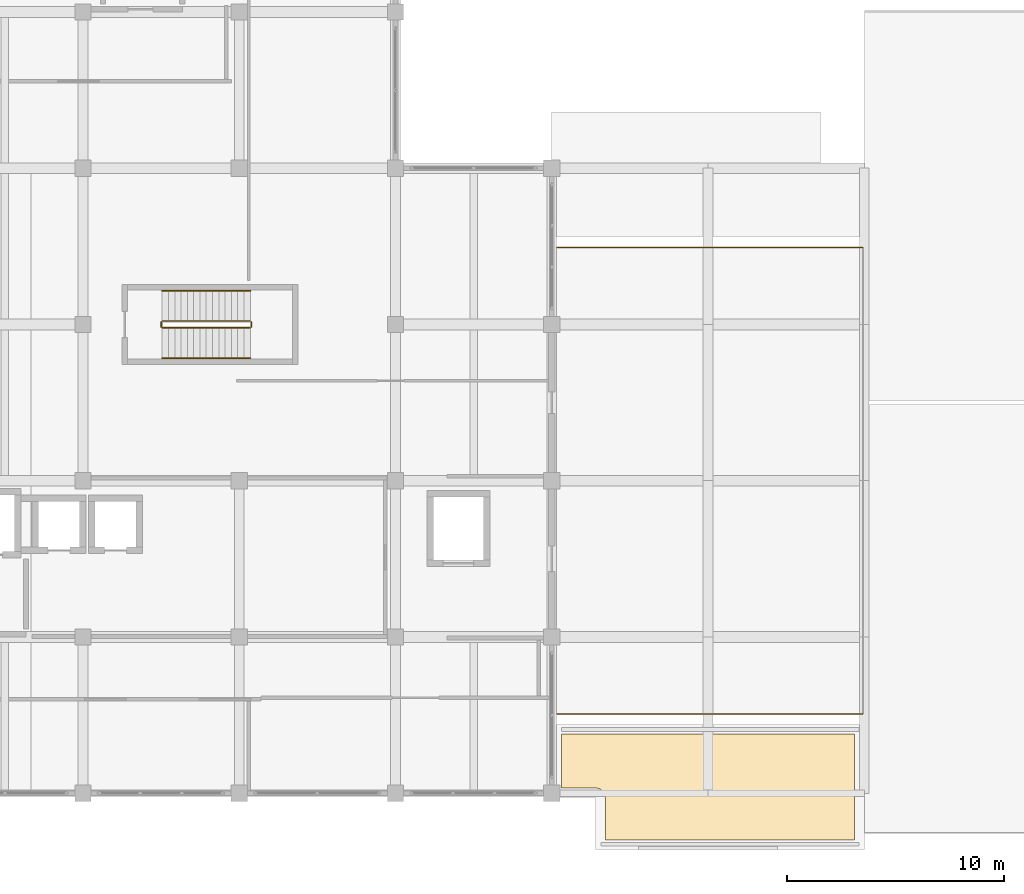
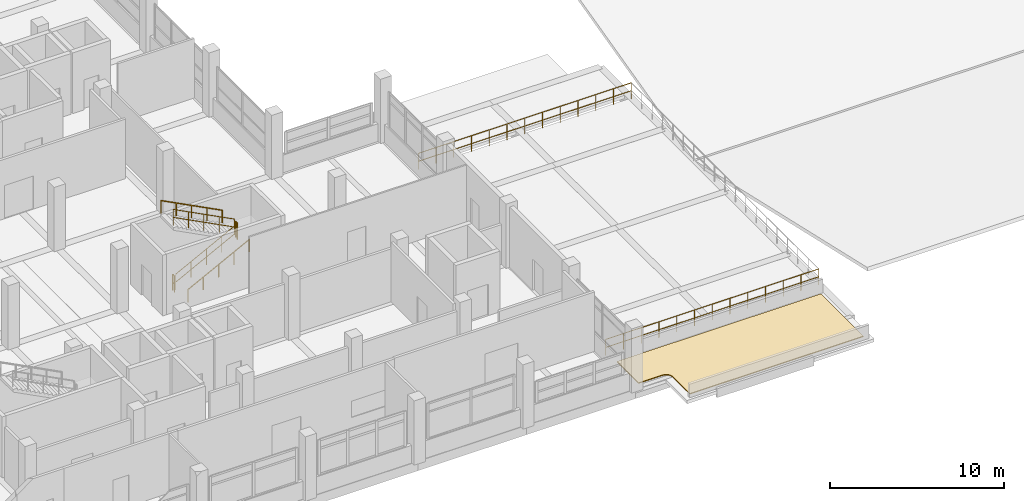
# One storey, part 138 of 141: 8 railings, 1 covering.
"""IFC4 building model written with IfcOpenShell, lengths in metres."""

from ifc_helpers import new_model, si_unit, direction, frame, origin, origin_2d, place, context, subcontext, project, spatial, polyline, circle, outline, extrude, material, layer, layer_set, type_object, element, save


model = new_model("IFC4")

# Units and contexts
model_context = context("Model", 3, precision=1e-05, world=origin(), true_north=direction((0.0, 1.0)))
body_context = subcontext(model_context, "Body", "Model", "MODEL_VIEW")
ifc_project = project(units=[si_unit("LENGTHUNIT", "METRE"), si_unit("AREAUNIT", "SQUARE_METRE"), si_unit("VOLUMEUNIT", "CUBIC_METRE"), si_unit("PLANEANGLEUNIT", "RADIAN"), si_unit("MASSUNIT", "GRAM", prefix="KILO")], contexts=[model_context])

# Site, building, storey
site_placement = place(None, origin())
site = spatial("IfcSite", under=ifc_project, at=site_placement, CompositionType="ELEMENT")
building_placement = place(site_placement, origin())
building = spatial("IfcBuilding", under=site, at=building_placement, Name="Seraya Terrace Polytechnic", CompositionType="ELEMENT")
storey_placement = place(building_placement, frame((0.0, 0.0, 14.39990234375)))
storey = spatial("IfcBuildingStorey", under=building, at=storey_placement, Name="L03", CompositionType="ELEMENT", Elevation=14.39990234375)

# Railings
ifc_material_1 = material(Name="Steel S355J2", Category="steel")
railing_type_1 = type_object("IfcRailingType", Name="GR-01", PredefinedType="GUARDRAIL", material=ifc_material_1)
railing_1_placement = place(storey_placement, frame((115.43994140625, 3.659912109375, 0.0)))
element("IfcRailing", 1, at=railing_1_placement, inside=storey, type_object=railing_type_1, Name="Terrace perimeter guardrail TERR-L03-SE S1", PredefinedType="GUARDRAIL", context=body_context, shape_type="SweptSolid", body=[
    extrude(circle(Radius=0.02392578125, at=origin_2d()), frame((0.0, 0.0, 1.10595703125), z_axis=(1.0, 0.0, 0.0), x_axis=(0.0, 1.0, 0.0)), (0.0, 0.0, 1.0), 14.10009765625),
    extrude(circle(Radius=0.02392578125, at=origin_2d()), frame((0.0, 0.0, 0.550048828125), z_axis=(1.0, 0.0, 0.0), x_axis=(0.0, 1.0, 0.0)), (0.0, 0.0, 1.0), 14.10009765625),
    extrude(circle(Radius=0.02099609375, at=origin_2d()), origin(), (0.0, 0.0, 1.0), 1.081787109375),
    extrude(circle(Radius=0.02099609375, at=origin_2d()), frame((1.175048828125, 0.0, 0.0)), (0.0, 0.0, 1.0), 1.081787109375),
    extrude(circle(Radius=0.02099609375, at=origin_2d()), frame((2.35009765625, 0.0, 0.0)), (0.0, 0.0, 1.0), 1.081787109375),
    extrude(circle(Radius=0.02099609375, at=origin_2d()), frame((3.52490234375, 0.0, 0.0)), (0.0, 0.0, 1.0), 1.081787109375),
    extrude(circle(Radius=0.02099609375, at=origin_2d()), frame((4.699951171875, 0.0, 0.0)), (0.0, 0.0, 1.0), 1.081787109375),
    extrude(circle(Radius=0.02099609375, at=origin_2d()), frame((5.875, 0.0, 0.0)), (0.0, 0.0, 1.0), 1.081787109375),
    extrude(circle(Radius=0.02099609375, at=origin_2d()), frame((7.050048828125, 0.0, 0.0)), (0.0, 0.0, 1.0), 1.081787109375),
    extrude(circle(Radius=0.02099609375, at=origin_2d()), frame((8.22509765625, 0.0, 0.0)), (0.0, 0.0, 1.0), 1.081787109375),
    extrude(circle(Radius=0.02099609375, at=origin_2d()), frame((9.400146484375, 0.0, 0.0)), (0.0, 0.0, 1.0), 1.081787109375),
    extrude(circle(Radius=0.02099609375, at=origin_2d()), frame((10.5751953125, 0.0, 0.0)), (0.0, 0.0, 1.0), 1.081787109375),
    extrude(circle(Radius=0.02099609375, at=origin_2d()), frame((11.75, 0.0, 0.0)), (0.0, 0.0, 1.0), 1.081787109375),
    extrude(circle(Radius=0.02099609375, at=origin_2d()), frame((12.925048828125, 0.0, 0.0)), (0.0, 0.0, 1.0), 1.081787109375),
    extrude(circle(Radius=0.02099609375, at=origin_2d()), frame((14.10009765625, 0.0, 0.0)), (0.0, 0.0, 1.0), 1.081787109375),
])
railing_2_placement = place(storey_placement, frame((129.5400390625, 25.139892578125, 0.0)))
element("IfcRailing", 2, at=railing_2_placement, inside=storey, type_object=railing_type_1, Name="Terrace perimeter guardrail TERR-L03-SE N1", PredefinedType="GUARDRAIL", context=body_context, shape_type="SweptSolid", body=[
    extrude(circle(Radius=0.02392578125, at=origin_2d()), frame((0.0, 0.0, 1.10595703125), z_axis=(-1.0, 0.0, 0.0), x_axis=(0.0, -1.0, 0.0)), (0.0, 0.0, 1.0), 14.10009765625),
    extrude(circle(Radius=0.02392578125, at=origin_2d()), frame((0.0, 0.0, 0.550048828125), z_axis=(-1.0, 0.0, 0.0), x_axis=(0.0, -1.0, 0.0)), (0.0, 0.0, 1.0), 14.10009765625),
    extrude(circle(Radius=0.02099609375, at=origin_2d()), origin(), (0.0, 0.0, 1.0), 1.081787109375),
    extrude(circle(Radius=0.02099609375, at=origin_2d()), frame((-1.175048828125, 0.0, 0.0)), (0.0, 0.0, 1.0), 1.081787109375),
    extrude(circle(Radius=0.02099609375, at=origin_2d()), frame((-2.35009765625, 0.0, 0.0)), (0.0, 0.0, 1.0), 1.081787109375),
    extrude(circle(Radius=0.02099609375, at=origin_2d()), frame((-3.52490234375, 0.0, 0.0)), (0.0, 0.0, 1.0), 1.081787109375),
    extrude(circle(Radius=0.02099609375, at=origin_2d()), frame((-4.699951171875, 0.0, 0.0)), (0.0, 0.0, 1.0), 1.081787109375),
    extrude(circle(Radius=0.02099609375, at=origin_2d()), frame((-5.875, 0.0, 0.0)), (0.0, 0.0, 1.0), 1.081787109375),
    extrude(circle(Radius=0.02099609375, at=origin_2d()), frame((-7.050048828125, 0.0, 0.0)), (0.0, 0.0, 1.0), 1.081787109375),
    extrude(circle(Radius=0.02099609375, at=origin_2d()), frame((-8.22509765625, 0.0, 0.0)), (0.0, 0.0, 1.0), 1.081787109375),
    extrude(circle(Radius=0.02099609375, at=origin_2d()), frame((-9.400146484375, 0.0, 0.0)), (0.0, 0.0, 1.0), 1.081787109375),
    extrude(circle(Radius=0.02099609375, at=origin_2d()), frame((-10.5751953125, 0.0, 0.0)), (0.0, 0.0, 1.0), 1.081787109375),
    extrude(circle(Radius=0.02099609375, at=origin_2d()), frame((-11.75, 0.0, 0.0)), (0.0, 0.0, 1.0), 1.081787109375),
    extrude(circle(Radius=0.02099609375, at=origin_2d()), frame((-12.925048828125, 0.0, 0.0)), (0.0, 0.0, 1.0), 1.081787109375),
    extrude(circle(Radius=0.02099609375, at=origin_2d()), frame((-14.10009765625, 0.0, 0.0)), (0.0, 0.0, 1.0), 1.081787109375),
])
railing_type_2 = type_object("IfcRailingType", Name="GR-02", PredefinedType="GUARDRAIL", material=ifc_material_1)
railing_3_placement = place(storey_placement, frame((97.25, 21.449951171875, 0.150146484375)))
element("IfcRailing", 3, at=railing_3_placement, inside=storey, type_object=railing_type_2, Name="L03 ST-05 stair guard 1", PredefinedType="GUARDRAIL", context=body_context, shape_type="SweptSolid", body=[
    extrude(circle(Radius=0.02392578125, at=origin_2d()), frame((0.0, 0.0, 1.10595703125), z_axis=(0.888233425583, 0.0, 0.459392404897), x_axis=(0.0, 1.0, 0.0)), (0.0, 0.0, 1.0), 4.571044921875),
    extrude(circle(Radius=0.02392578125, at=origin_2d()), frame((0.0, 0.0, 0.550048828125), z_axis=(0.888233425583, 0.0, 0.459392404897), x_axis=(0.0, 1.0, 0.0)), (0.0, 0.0, 1.0), 4.571044921875),
    extrude(circle(Radius=0.02099609375, at=origin_2d()), origin(), (0.0, 0.0, 1.0), 1.081787109375),
    extrude(circle(Radius=0.02099609375, at=origin_2d()), frame((1.01513671875, 0.0, 0.52490234375)), (0.0, 0.0, 1.0), 1.081787109375),
    extrude(circle(Radius=0.02099609375, at=origin_2d()), frame((2.030029296875, 0.0, 1.0498046875)), (0.0, 0.0, 1.0), 1.081787109375),
    extrude(circle(Radius=0.02099609375, at=origin_2d()), frame((3.044921875, 0.0, 1.574951171875)), (0.0, 0.0, 1.0), 1.081787109375),
    extrude(circle(Radius=0.02099609375, at=origin_2d()), frame((4.06005859375, 0.0, 2.099853515625)), (0.0, 0.0, 1.0), 1.081787109375),
])
railing_4_placement = place(storey_placement, frame((101.360107421875, 21.5, 2.25)))
element("IfcRailing", 4, at=railing_4_placement, inside=storey, type_object=railing_type_2, Name="L03 ST-05 stair guard 2", PredefinedType="GUARDRAIL", context=body_context, shape_type="SweptSolid", body=[
    extrude(circle(Radius=0.02392578125, at=origin_2d()), frame((0.0, 0.0, 1.10595703125), z_axis=(0.0, 1.0, 0.0), x_axis=(-1.0, 0.0, 0.0)), (0.0, 0.0, 1.0), 0.199951171875),
    extrude(circle(Radius=0.02392578125, at=origin_2d()), frame((0.0, 0.0, 0.550048828125), z_axis=(0.0, 1.0, 0.0), x_axis=(-1.0, 0.0, 0.0)), (0.0, 0.0, 1.0), 0.199951171875),
    extrude(circle(Radius=0.02099609375, at=origin_2d()), origin(), (0.0, 0.0, 1.0), 1.081787109375),
    extrude(circle(Radius=0.02099609375, at=origin_2d()), frame((0.0, 0.199951171875, 0.0)), (0.0, 0.0, 1.0), 1.081787109375),
])
railing_5_placement = place(storey_placement, frame((101.31005859375, 21.75, 2.400146484375)))
element("IfcRailing", 5, at=railing_5_placement, inside=storey, type_object=railing_type_2, Name="L03 ST-05 stair guard 3", PredefinedType="GUARDRAIL", context=body_context, shape_type="SweptSolid", body=[
    extrude(circle(Radius=0.02392578125, at=origin_2d()), frame((0.0, 0.0, 1.10595703125), z_axis=(-0.888233425583, 0.0, 0.459392404897), x_axis=(0.0, -1.0, 0.0)), (0.0, 0.0, 1.0), 4.571044921875),
    extrude(circle(Radius=0.02392578125, at=origin_2d()), frame((0.0, 0.0, 0.550048828125), z_axis=(-0.888233425583, 0.0, 0.459392404897), x_axis=(0.0, -1.0, 0.0)), (0.0, 0.0, 1.0), 4.571044921875),
    extrude(circle(Radius=0.02099609375, at=origin_2d()), origin(), (0.0, 0.0, 1.0), 1.081787109375),
    extrude(circle(Radius=0.02099609375, at=origin_2d()), frame((-1.01513671875, 0.0, 0.52490234375)), (0.0, 0.0, 1.0), 1.081787109375),
    extrude(circle(Radius=0.02099609375, at=origin_2d()), frame((-2.030029296875, 0.0, 1.0498046875)), (0.0, 0.0, 1.0), 1.081787109375),
    extrude(circle(Radius=0.02099609375, at=origin_2d()), frame((-3.044921875, 0.0, 1.574951171875)), (0.0, 0.0, 1.0), 1.081787109375),
    extrude(circle(Radius=0.02099609375, at=origin_2d()), frame((-4.06005859375, 0.0, 2.099853515625)), (0.0, 0.0, 1.0), 1.081787109375),
])
railing_6_placement = place(storey_placement, frame((97.199951171875, 21.5, 0.0)))
element("IfcRailing", 6, at=railing_6_placement, inside=storey, type_object=railing_type_2, Name="L03 ST-05 stair guard 4", PredefinedType="GUARDRAIL", context=body_context, shape_type="SweptSolid", body=[
    extrude(circle(Radius=0.02392578125, at=origin_2d()), frame((0.0, 0.0, 1.10595703125), z_axis=(0.0, 1.0, 0.0), x_axis=(-1.0, 0.0, 0.0)), (0.0, 0.0, 1.0), 0.199951171875),
    extrude(circle(Radius=0.02392578125, at=origin_2d()), frame((0.0, 0.0, 0.550048828125), z_axis=(0.0, 1.0, 0.0), x_axis=(-1.0, 0.0, 0.0)), (0.0, 0.0, 1.0), 0.199951171875),
    extrude(circle(Radius=0.02099609375, at=origin_2d()), origin(), (0.0, 0.0, 1.0), 1.081787109375),
    extrude(circle(Radius=0.02099609375, at=origin_2d()), frame((0.0, 0.199951171875, 0.0)), (0.0, 0.0, 1.0), 1.081787109375),
])
railing_type_3 = type_object("IfcRailingType", Name="HR-01", PredefinedType="HANDRAIL", material=ifc_material_1)
railing_7_placement = place(storey_placement, frame((97.25, 20.050048828125, 0.150146484375)))
element("IfcRailing", 7, at=railing_7_placement, inside=storey, type_object=railing_type_3, Name="L03 ST-05 stair handrail 1", PredefinedType="HANDRAIL", context=body_context, shape_type="SweptSolid", body=[
    extrude(circle(Radius=0.02392578125, at=origin_2d()), frame((0.0, 0.0, 0.8759765625), z_axis=(0.888233425583, 0.0, 0.459392404897), x_axis=(0.0, 1.0, 0.0)), (0.0, 0.0, 1.0), 4.571044921875),
    extrude(circle(Radius=0.02099609375, at=origin_2d()), origin(), (0.0, 0.0, 1.0), 0.851806640625),
    extrude(circle(Radius=0.02099609375, at=origin_2d()), frame((1.01513671875, 0.0, 0.52490234375)), (0.0, 0.0, 1.0), 0.851806640625),
    extrude(circle(Radius=0.02099609375, at=origin_2d()), frame((2.030029296875, 0.0, 1.0498046875)), (0.0, 0.0, 1.0), 0.851806640625),
    extrude(circle(Radius=0.02099609375, at=origin_2d()), frame((3.044921875, 0.0, 1.574951171875)), (0.0, 0.0, 1.0), 0.851806640625),
    extrude(circle(Radius=0.02099609375, at=origin_2d()), frame((4.06005859375, 0.0, 2.099853515625)), (0.0, 0.0, 1.0), 0.851806640625),
])
railing_8_placement = place(storey_placement, frame((101.31005859375, 23.14990234375, 2.400146484375)))
element("IfcRailing", 8, at=railing_8_placement, inside=storey, type_object=railing_type_3, Name="L03 ST-05 stair handrail 2", PredefinedType="HANDRAIL", context=body_context, shape_type="SweptSolid", body=[
    extrude(circle(Radius=0.02392578125, at=origin_2d()), frame((0.0, 0.0, 0.8759765625), z_axis=(-0.888233425583, 0.0, 0.459392404897), x_axis=(0.0, -1.0, 0.0)), (0.0, 0.0, 1.0), 4.571044921875),
    extrude(circle(Radius=0.02099609375, at=origin_2d()), origin(), (0.0, 0.0, 1.0), 0.851806640625),
    extrude(circle(Radius=0.02099609375, at=origin_2d()), frame((-1.01513671875, 0.0, 0.52490234375)), (0.0, 0.0, 1.0), 0.851806640625),
    extrude(circle(Radius=0.02099609375, at=origin_2d()), frame((-2.030029296875, 0.0, 1.0498046875)), (0.0, 0.0, 1.0), 0.851806640625),
    extrude(circle(Radius=0.02099609375, at=origin_2d()), frame((-3.044921875, 0.0, 1.574951171875)), (0.0, 0.0, 1.0), 0.851806640625),
    extrude(circle(Radius=0.02099609375, at=origin_2d()), frame((-4.06005859375, 0.0, 2.099853515625)), (0.0, 0.0, 1.0), 0.851806640625),
])

# Covering
ifc_material_2 = material(Name="Insulated TPO waterproof roofing membrane")
ifc_layer = layer(ifc_material_2, 0.06005859375, Name="RF-C1")
ifc_layer_set = layer_set([ifc_layer], Name="Insulated TPO waterproof roofing membrane")
covering_type = type_object("IfcCoveringType", Name="RF-C1", PredefinedType="ROOFING", material=ifc_layer_set)
covering_placement = place(storey_placement, origin())
element("IfcCovering", 9, at=covering_placement, inside=storey, type_object=covering_type, Name="Waterproof TPO roof covering ROOF-L03-SESOUTH", PredefinedType="ROOFING", context=body_context, shape_type="SweptSolid", body=[
    extrude(outline(polyline([(129.14990234375, -2.14990234375), (117.666015625, -2.14990234375), (117.666015625, -0.199951171875), (117.631591796875, -0.02783203125), (117.56396484375, 0.08544921875), (117.427978515625, 0.197021484375), (117.260009765625, 0.247802734375), (115.64990234375, 0.25), (115.64990234375, 2.72998046875), (129.14990234375, 2.72998046875), (129.14990234375, -2.14990234375)])), origin(), (0.0, 0.0, 1.0), 0.06005859375),
])

save(model, "model.ifc")
